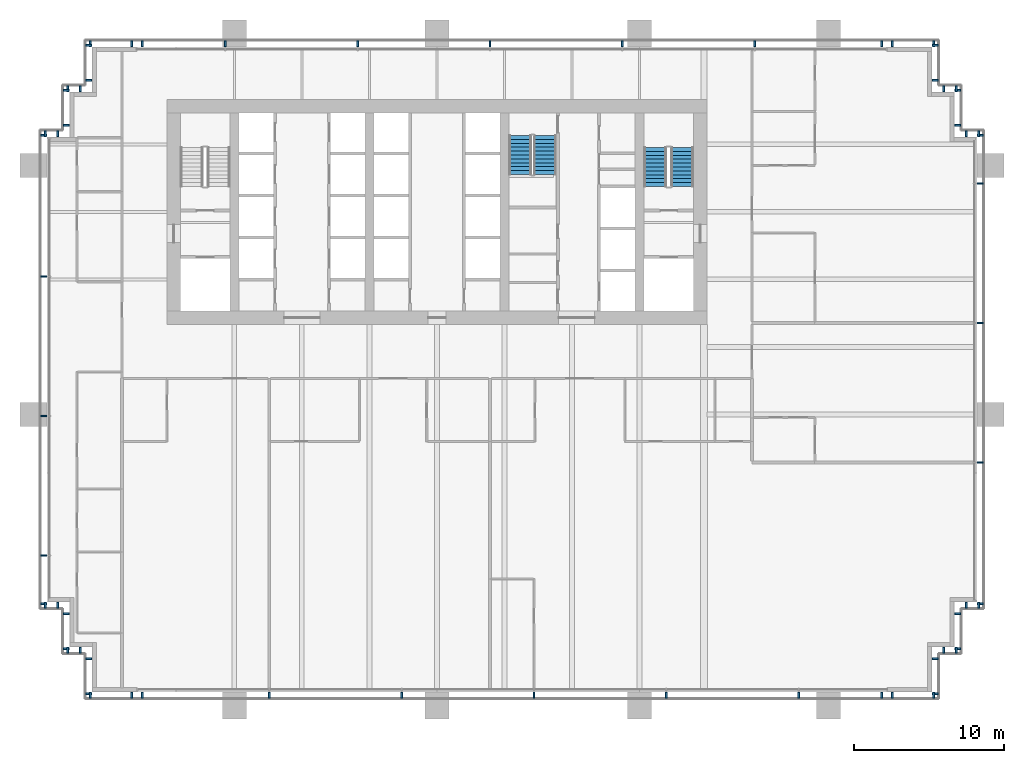
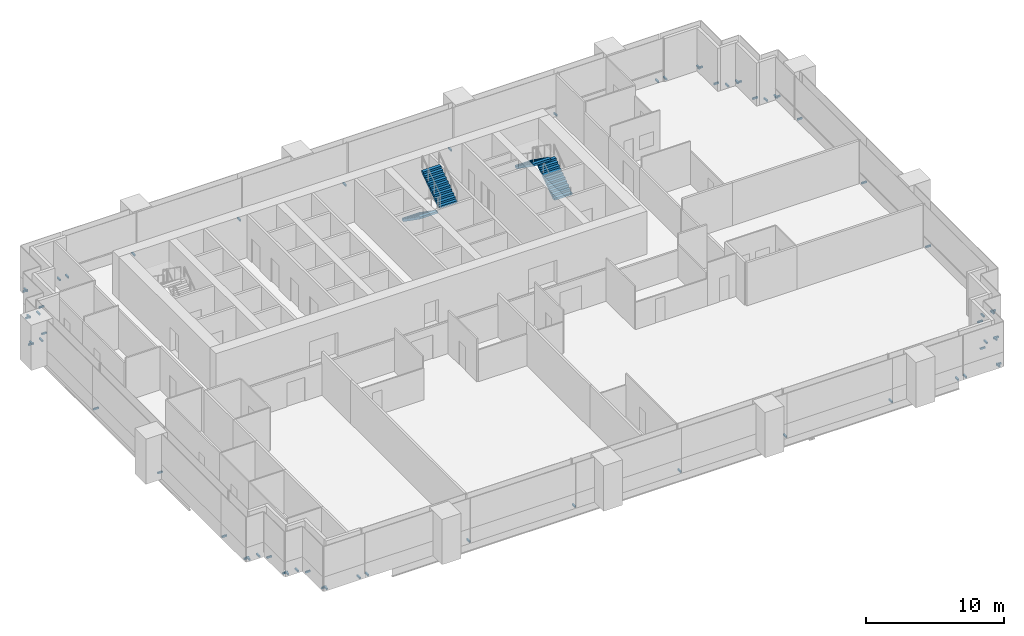
# One storey, part 16 of 19: 64 discrete accessories, 4 stair flights, 2 elements without a shape of their own.
"""IFC4 building model written with IfcOpenShell, lengths in metres."""

from ifc_helpers import new_model, si_unit, direction, frame, origin, origin_2d, place, context, subcontext, project, spatial, polyline, rectangle, outline, extrude, material, type_object, element, aggregate, save


model = new_model("IFC4")

# Units and contexts
model_context = context("Model", 3, precision=1e-05, world=origin(), true_north=direction((0.0, 1.0)))
body_context = subcontext(model_context, "Body", "Model", "MODEL_VIEW")
ifc_project = project(units=[si_unit("LENGTHUNIT", "METRE"), si_unit("AREAUNIT", "SQUARE_METRE"), si_unit("VOLUMEUNIT", "CUBIC_METRE"), si_unit("PLANEANGLEUNIT", "RADIAN"), si_unit("MASSUNIT", "GRAM", prefix="KILO")], contexts=[model_context])

# Site, building, storey
site_placement = place(None, origin())
site = spatial("IfcSite", under=ifc_project, at=site_placement, CompositionType="ELEMENT")
building_placement = place(site_placement, origin())
building = spatial("IfcBuilding", under=site, at=building_placement, Name="Rattan Terrace Tower", CompositionType="ELEMENT")
storey_placement = place(building_placement, frame((0.0, 0.0, 87.699951171875)))
storey = spatial("IfcBuildingStorey", under=building, at=storey_placement, Name="L19", CompositionType="ELEMENT", Elevation=87.699951171875)

# Stair, stair flights
ifc_material_1 = material(Name="Concrete C40/50", Category="concrete")
stair_type = type_object("IfcStairType", Name="Core exit stair 1500", PredefinedType="HALF_TURN_STAIR", material=ifc_material_1)
stair_1_placement = place(storey_placement, origin())
stair_1 = element("IfcStair", 1, at=stair_1_placement, inside=storey, type_object=stair_type, Name="L19 exit stair 2", PredefinedType="HALF_TURN_STAIR")
ifc_material_2 = material(Name="Concrete C40/50", Category="concrete")
stair_flight_type = type_object("IfcStairFlightType", Name="Core exit stair flight 1500", PredefinedType="STRAIGHT", material=ifc_material_2)
stair_flight_1_placement = place(storey_placement, frame((16.35009765625, 1.699951171875, 0.0), z_axis=(0.0, 0.0, 1.0), x_axis=(0.0, 1.0, 0.0)))
stair_flight_1 = element("IfcStairFlight", 2, at=stair_flight_1_placement, type_object=stair_flight_type, Name="S2 flight 1", NumberOfRisers=11, NumberOfTreads=10, PredefinedType="STRAIGHT", RiserHeight=0.181818182, TreadLength=0.26, context=body_context, shape_type="SweptSolid", body=[
    extrude(outline(polyline([(0.0, 0.0), (0.0, 0.181884765625), (0.260009765625, 0.181884765625), (0.260009765625, 0.363525390625), (0.52001953125, 0.363525390625), (0.52001953125, 0.54541015625), (0.780029296875, 0.54541015625), (0.780029296875, 0.727294921875), (1.0400390625, 0.727294921875), (1.0400390625, 0.9091796875), (1.300048828125, 0.9091796875), (1.300048828125, 1.0908203125), (1.56005859375, 1.0908203125), (1.56005859375, 1.272705078125), (1.820068359375, 1.272705078125), (1.820068359375, 1.45458984375), (2.080078125, 1.45458984375), (2.080078125, 1.636474609375), (2.340087890625, 1.636474609375), (2.340087890625, 1.818115234375), (2.60009765625, 1.818115234375), (2.60009765625, 2.0), (2.60009765625, 1.63525390625), (0.261474609375, 0.0), (0.0, 0.0)])), frame((0.0, 0.75, 0.0), z_axis=(0.0, -1.0, 0.0), x_axis=(1.0, 0.0, 0.0)), (0.0, 0.0, 1.0), 1.5),
])
stair_flight_2_placement = place(storey_placement, frame((14.550048828125, 4.300048828125, 2.0), z_axis=(0.0, 0.0, 1.0), x_axis=(0.0, -1.0, 0.0)))
stair_flight_2 = element("IfcStairFlight", 3, at=stair_flight_2_placement, type_object=stair_flight_type, Name="S2 flight 2", NumberOfRisers=11, NumberOfTreads=10, PredefinedType="STRAIGHT", RiserHeight=0.181818182, TreadLength=0.26, context=body_context, shape_type="SweptSolid", body=[
    extrude(outline(polyline([(0.0, 0.0), (0.0, 0.181884765625), (0.260009765625, 0.181884765625), (0.260009765625, 0.363525390625), (0.52001953125, 0.363525390625), (0.52001953125, 0.54541015625), (0.780029296875, 0.54541015625), (0.780029296875, 0.727294921875), (1.0400390625, 0.727294921875), (1.0400390625, 0.9091796875), (1.300048828125, 0.9091796875), (1.300048828125, 1.0908203125), (1.56005859375, 1.0908203125), (1.56005859375, 1.272705078125), (1.820068359375, 1.272705078125), (1.820068359375, 1.45458984375), (2.080078125, 1.45458984375), (2.080078125, 1.636474609375), (2.340087890625, 1.636474609375), (2.340087890625, 1.818115234375), (2.60009765625, 1.818115234375), (2.60009765625, 2.0), (2.60009765625, 1.63525390625), (0.261474609375, 0.0), (0.0, 0.0)])), frame((0.0, 0.75, 0.0), z_axis=(0.0, -1.0, 0.0), x_axis=(1.0, 0.0, 0.0)), (0.0, 0.0, 1.0), 1.5),
])
aggregate(stair_1, [stair_flight_1, stair_flight_2])

stair_2_placement = place(storey_placement, origin())
stair_2 = element("IfcStair", 4, at=stair_2_placement, inside=storey, type_object=stair_type, Name="L19 exit stair 3", PredefinedType="HALF_TURN_STAIR")
stair_flight_3_placement = place(storey_placement, frame((5.550048828125, 5.10009765625, 0.0), z_axis=(0.0, 0.0, 1.0), x_axis=(0.0, -1.0, 0.0)))
stair_flight_3 = element("IfcStairFlight", 5, at=stair_flight_3_placement, type_object=stair_flight_type, Name="S3 flight 1", NumberOfRisers=11, NumberOfTreads=10, PredefinedType="STRAIGHT", RiserHeight=0.181818182, TreadLength=0.26, context=body_context, shape_type="SweptSolid", body=[
    extrude(outline(polyline([(0.0, 0.0), (0.0, 0.181884765625), (0.260009765625, 0.181884765625), (0.260009765625, 0.363525390625), (0.52001953125, 0.363525390625), (0.52001953125, 0.54541015625), (0.780029296875, 0.54541015625), (0.780029296875, 0.727294921875), (1.0400390625, 0.727294921875), (1.0400390625, 0.9091796875), (1.300048828125, 0.9091796875), (1.300048828125, 1.0908203125), (1.56005859375, 1.0908203125), (1.56005859375, 1.272705078125), (1.820068359375, 1.272705078125), (1.820068359375, 1.45458984375), (2.080078125, 1.45458984375), (2.080078125, 1.636474609375), (2.340087890625, 1.636474609375), (2.340087890625, 1.818115234375), (2.60009765625, 1.818115234375), (2.60009765625, 2.0), (2.60009765625, 1.63525390625), (0.261474609375, 0.0), (0.0, 0.0)])), frame((0.0, 0.75, 0.0), z_axis=(0.0, -1.0, 0.0), x_axis=(1.0, 0.0, 0.0)), (0.0, 0.0, 1.0), 1.5),
])
stair_flight_4_placement = place(storey_placement, frame((7.199951171875, 2.5, 2.0), z_axis=(0.0, 0.0, 1.0), x_axis=(0.0, 1.0, 0.0)))
stair_flight_4 = element("IfcStairFlight", 6, at=stair_flight_4_placement, type_object=stair_flight_type, Name="S3 flight 2", NumberOfRisers=11, NumberOfTreads=10, PredefinedType="STRAIGHT", RiserHeight=0.181818182, TreadLength=0.26, context=body_context, shape_type="SweptSolid", body=[
    extrude(outline(polyline([(0.0, 0.0), (0.0, 0.181884765625), (0.260009765625, 0.181884765625), (0.260009765625, 0.363525390625), (0.52001953125, 0.363525390625), (0.52001953125, 0.54541015625), (0.780029296875, 0.54541015625), (0.780029296875, 0.727294921875), (1.0400390625, 0.727294921875), (1.0400390625, 0.9091796875), (1.300048828125, 0.9091796875), (1.300048828125, 1.0908203125), (1.56005859375, 1.0908203125), (1.56005859375, 1.272705078125), (1.820068359375, 1.272705078125), (1.820068359375, 1.45458984375), (2.080078125, 1.45458984375), (2.080078125, 1.636474609375), (2.340087890625, 1.636474609375), (2.340087890625, 1.818115234375), (2.60009765625, 1.818115234375), (2.60009765625, 2.0), (2.60009765625, 1.63525390625), (0.261474609375, 0.0), (0.0, 0.0)])), frame((0.0, 0.75, 0.0), z_axis=(0.0, -1.0, 0.0), x_axis=(1.0, 0.0, 0.0)), (0.0, 0.0, 1.0), 1.5),
])
aggregate(stair_2, [stair_flight_3, stair_flight_4])

# Discrete accessories
for number, where, z_axis, x_axis, name in (
    (7, (30.340087890625, -32.2099609375, -0.169921875), (0.0, 0.0, 1.0), (1.0, 0.0, 0.0), "Panel bracket L19-1"),
    (8, (33.110107421875, -32.2099609375, -0.169921875), (0.0, 0.0, 1.0), (1.0, 0.0, 0.0), "Panel bracket L19-2"),
    (9, (33.2099609375, -32.110107421875, -0.169921875), (0.0, 0.0, 1.0), (0.0, 1.0, 0.0), "Panel bracket L19-3"),
    (10, (33.2099609375, -29.7900390625, -0.169921875), (0.0, 0.0, 1.0), (0.0, 1.0, 0.0), "Panel bracket L19-4"),
    (11, (33.7900390625, -29.2099609375, -0.169921875), (0.0, 0.0, 1.0), (1.0, 0.0, 0.0), "Panel bracket L19-5"),
    (12, (34.610107421875, -29.2099609375, -0.169921875), (0.0, 0.0, 1.0), (1.0, 0.0, 0.0), "Panel bracket L19-6"),
    (13, (34.7099609375, -29.110107421875, -0.169921875), (0.0, 0.0, 1.0), (0.0, 1.0, 0.0), "Panel bracket L19-7"),
    (14, (34.7099609375, -26.7900390625, -0.169921875), (0.0, 0.0, 1.0), (0.0, 1.0, 0.0), "Panel bracket L19-8"),
    (15, (35.2900390625, -26.2099609375, -0.169921875), (0.0, 0.0, 1.0), (1.0, 0.0, 0.0), "Panel bracket L19-9"),
    (16, (36.110107421875, -26.2099609375, -0.169921875), (0.0, 0.0, 1.0), (1.0, 0.0, 0.0), "Panel bracket L19-10"),
    (17, (36.2099609375, -26.110107421875, -0.169921875), (0.0, 0.0, 1.0), (0.0, 1.0, 0.0), "Panel bracket L19-11"),
    (18, (36.2099609375, -16.699951171875, -0.169921875), (0.0, 0.0, 1.0), (0.0, 1.0, 0.0), "Panel bracket L19-12"),
    (19, (36.2099609375, -7.39990234375, -0.169921875), (0.0, 0.0, 1.0), (0.0, 1.0, 0.0), "Panel bracket L19-13"),
    (20, (36.2099609375, 1.89990234375, -0.169921875), (0.0, 0.0, 1.0), (0.0, 1.0, 0.0), "Panel bracket L19-14"),
    (21, (36.2099609375, 5.110107421875, -0.169921875), (0.0, 0.0, 1.0), (0.0, 1.0, 0.0), "Panel bracket L19-15"),
    (22, (36.110107421875, 5.2099609375, -0.169921875), (0.0, 0.0, 1.0), (-1.0, 0.0, 0.0), "Panel bracket L19-16"),
    (23, (35.2900390625, 5.2099609375, -0.169921875), (0.0, 0.0, 1.0), (-1.0, 0.0, 0.0), "Panel bracket L19-17"),
    (24, (34.7099609375, 5.7900390625, -0.169921875), (0.0, 0.0, 1.0), (0.0, 1.0, 0.0), "Panel bracket L19-18"),
    (25, (34.7099609375, 8.110107421875, -0.169921875), (0.0, 0.0, 1.0), (0.0, 1.0, 0.0), "Panel bracket L19-19"),
    (26, (34.610107421875, 8.2099609375, -0.169921875), (0.0, 0.0, 1.0), (-1.0, 0.0, 0.0), "Panel bracket L19-20"),
    (27, (33.7900390625, 8.2099609375, -0.169921875), (0.0, 0.0, 1.0), (-1.0, 0.0, 0.0), "Panel bracket L19-21"),
    (28, (33.2099609375, 8.7900390625, -0.169921875), (0.0, 0.0, 1.0), (0.0, 1.0, 0.0), "Panel bracket L19-22"),
    (29, (33.2099609375, 11.110107421875, -0.169921875), (0.0, 0.0, 1.0), (0.0, 1.0, 0.0), "Panel bracket L19-23"),
    (30, (33.110107421875, 11.2099609375, -0.169921875), (0.0, 0.0, 1.0), (-1.0, 0.0, 0.0), "Panel bracket L19-24"),
    (31, (30.340087890625, 11.2099609375, -0.169921875), (0.0, 0.0, 1.0), (-1.0, 0.0, 0.0), "Panel bracket L19-25"),
    (32, (29.659912109375, 11.2099609375, -0.169921875), (0.0, 0.0, 1.0), (-1.0, 0.0, 0.0), "Panel bracket L19-26"),
    (33, (21.177001953125, 11.2099609375, -0.169921875), (0.0, 0.0, 1.0), (-1.0, 0.0, 0.0), "Panel bracket L19-27"),
    (34, (12.35400390625, 11.2099609375, -0.169921875), (0.0, 0.0, 1.0), (-1.0, 0.0, 0.0), "Panel bracket L19-28"),
    (35, (3.531005859375, 11.2099609375, -0.169921875), (0.0, 0.0, 1.0), (-1.0, 0.0, 0.0), "Panel bracket L19-29"),
    (36, (-5.2919921875, 11.2099609375, -0.169921875), (0.0, 0.0, 1.0), (-1.0, 0.0, 0.0), "Panel bracket L19-30"),
    (37, (-14.114990234375, 11.2099609375, -0.169921875), (0.0, 0.0, 1.0), (-1.0, 0.0, 0.0), "Panel bracket L19-31"),
    (38, (-19.659912109375, 11.2099609375, -0.169921875), (0.0, 0.0, 1.0), (-1.0, 0.0, 0.0), "Panel bracket L19-32"),
    (39, (-20.340087890625, 11.2099609375, -0.169921875), (0.0, 0.0, 1.0), (-1.0, 0.0, 0.0), "Panel bracket L19-33"),
    (40, (-23.110107421875, 11.2099609375, -0.169921875), (0.0, 0.0, 1.0), (-1.0, 0.0, 0.0), "Panel bracket L19-34"),
    (41, (-23.2099609375, 11.110107421875, -0.169921875), (0.0, 0.0, 1.0), (0.0, -1.0, 0.0), "Panel bracket L19-35"),
    (42, (-23.2099609375, 8.7900390625, -0.169921875), (0.0, 0.0, 1.0), (0.0, -1.0, 0.0), "Panel bracket L19-36"),
    (43, (-23.7900390625, 8.2099609375, -0.169921875), (0.0, 0.0, 1.0), (-1.0, 0.0, 0.0), "Panel bracket L19-37"),
    (44, (-24.610107421875, 8.2099609375, -0.169921875), (0.0, 0.0, 1.0), (-1.0, 0.0, 0.0), "Panel bracket L19-38"),
    (45, (-24.7099609375, 8.110107421875, -0.169921875), (0.0, 0.0, 1.0), (0.0, -1.0, 0.0), "Panel bracket L19-39"),
    (46, (-24.7099609375, 5.7900390625, -0.169921875), (0.0, 0.0, 1.0), (0.0, -1.0, 0.0), "Panel bracket L19-40"),
    (47, (-25.2900390625, 5.2099609375, -0.169921875), (0.0, 0.0, 1.0), (-1.0, 0.0, 0.0), "Panel bracket L19-41"),
    (48, (-26.110107421875, 5.2099609375, -0.169921875), (0.0, 0.0, 1.0), (-1.0, 0.0, 0.0), "Panel bracket L19-42"),
    (49, (-26.2099609375, 5.110107421875, -0.169921875), (0.0, 0.0, 1.0), (0.0, -1.0, 0.0), "Panel bracket L19-43"),
    (50, (-26.2099609375, -4.300048828125, -0.169921875), (0.0, 0.0, 1.0), (0.0, -1.0, 0.0), "Panel bracket L19-44"),
    (51, (-26.2099609375, -13.60009765625, -0.169921875), (0.0, 0.0, 1.0), (0.0, -1.0, 0.0), "Panel bracket L19-45"),
    (52, (-26.2099609375, -22.89990234375, -0.169921875), (0.0, 0.0, 1.0), (0.0, -1.0, 0.0), "Panel bracket L19-46"),
    (53, (-26.2099609375, -26.110107421875, -0.169921875), (0.0, 0.0, 1.0), (0.0, -1.0, 0.0), "Panel bracket L19-47"),
    (54, (-26.110107421875, -26.2099609375, -0.169921875), (0.0, 0.0, 1.0), (1.0, 0.0, 0.0), "Panel bracket L19-48"),
    (55, (-25.2900390625, -26.2099609375, -0.169921875), (0.0, 0.0, 1.0), (1.0, 0.0, 0.0), "Panel bracket L19-49"),
    (56, (-24.7099609375, -26.7900390625, -0.169921875), (0.0, 0.0, 1.0), (0.0, -1.0, 0.0), "Panel bracket L19-50"),
    (57, (-24.7099609375, -29.110107421875, -0.169921875), (0.0, 0.0, 1.0), (0.0, -1.0, 0.0), "Panel bracket L19-51"),
    (58, (-24.610107421875, -29.2099609375, -0.169921875), (0.0, 0.0, 1.0), (1.0, 0.0, 0.0), "Panel bracket L19-52"),
    (59, (-23.7900390625, -29.2099609375, -0.169921875), (0.0, 0.0, 1.0), (1.0, 0.0, 0.0), "Panel bracket L19-53"),
    (60, (-23.2099609375, -29.7900390625, -0.169921875), (0.0, 0.0, 1.0), (0.0, -1.0, 0.0), "Panel bracket L19-54"),
    (61, (-23.2099609375, -32.110107421875, -0.169921875), (0.0, 0.0, 1.0), (0.0, -1.0, 0.0), "Panel bracket L19-55"),
    (62, (-23.110107421875, -32.2099609375, -0.169921875), (0.0, 0.0, 1.0), (1.0, 0.0, 0.0), "Panel bracket L19-56"),
    (63, (-20.340087890625, -32.2099609375, -0.169921875), (0.0, 0.0, 1.0), (1.0, 0.0, 0.0), "Panel bracket L19-57"),
    (64, (-19.659912109375, -32.2099609375, -0.169921875), (0.0, 0.0, 1.0), (1.0, 0.0, 0.0), "Panel bracket L19-58"),
    (65, (-11.177001953125, -32.2099609375, -0.169921875), (0.0, 0.0, 1.0), (1.0, 0.0, 0.0), "Panel bracket L19-59"),
    (66, (-2.35400390625, -32.2099609375, -0.169921875), (0.0, 0.0, 1.0), (1.0, 0.0, 0.0), "Panel bracket L19-60"),
    (67, (6.468994140625, -32.2099609375, -0.169921875), (0.0, 0.0, 1.0), (1.0, 0.0, 0.0), "Panel bracket L19-61"),
    (68, (15.2919921875, -32.2099609375, -0.169921875), (0.0, 0.0, 1.0), (1.0, 0.0, 0.0), "Panel bracket L19-62"),
    (69, (24.114990234375, -32.2099609375, -0.169921875), (0.0, 0.0, 1.0), (1.0, 0.0, 0.0), "Panel bracket L19-63"),
    (70, (29.659912109375, -32.2099609375, -0.169921875), (0.0, 0.0, 1.0), (1.0, 0.0, 0.0), "Panel bracket L19-64"),
):
    element("IfcDiscreteAccessory", number, at=place(storey_placement, frame(where, z_axis=z_axis, x_axis=x_axis)), inside=storey, Name=name, PredefinedType="BRACKET", context=body_context, shape_type="SweptSolid", body=[
        extrude(rectangle(XDim=0.1201171875, YDim=0.419921875, at=origin_2d()), origin(), (0.0, 0.0, 1.0), 0.139892578125),
    ])

save(model, "model.ifc")
